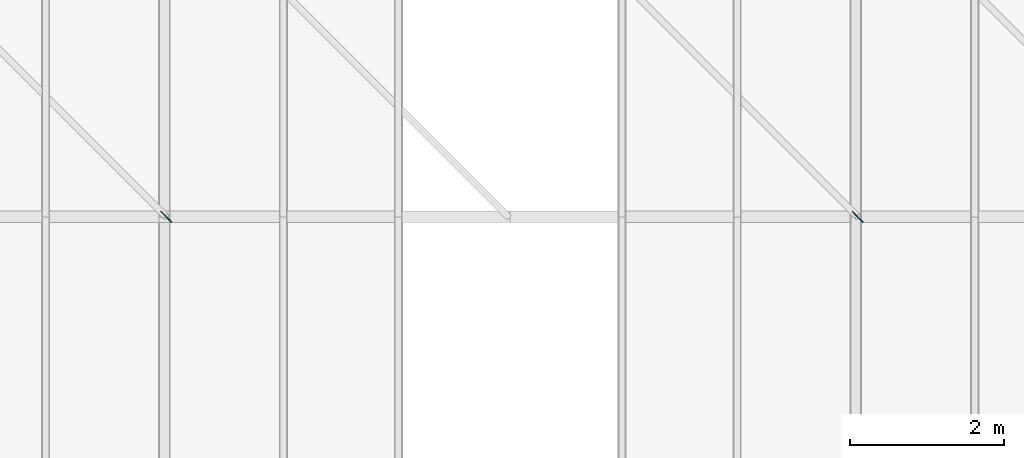
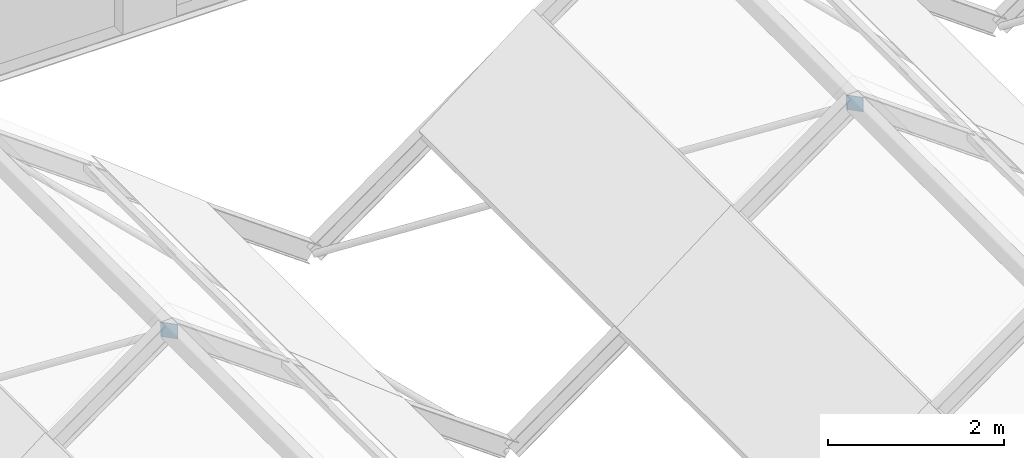
# One storey, part 55 of 74: 2 discrete accessories.
"""IFC4 building model written with IfcOpenShell, lengths in metres."""

from ifc_helpers import new_model, si_unit, direction, frame, origin, origin_2d, place, context, subcontext, project, spatial, rectangle, extrude, material, type_object, element, save


model = new_model("IFC4")

# Units and contexts
model_context = context("Model", 3, precision=1e-05, world=origin(), true_north=direction((0.0, 1.0)))
body_context = subcontext(model_context, "Body", "Model", "MODEL_VIEW")
ifc_project = project(units=[si_unit("LENGTHUNIT", "METRE"), si_unit("AREAUNIT", "SQUARE_METRE"), si_unit("VOLUMEUNIT", "CUBIC_METRE"), si_unit("PLANEANGLEUNIT", "RADIAN"), si_unit("MASSUNIT", "GRAM", prefix="KILO")], contexts=[model_context])

# Site, building, storey
site_placement = place(None, origin())
site = spatial("IfcSite", under=ifc_project, at=site_placement, CompositionType="ELEMENT")
building_placement = place(site_placement, origin())
building = spatial("IfcBuilding", under=site, at=building_placement, Name="Hortulan Conservatory and Botanical Research Centre", CompositionType="ELEMENT")
storey_placement = place(building_placement, frame((0.0, 0.0, 6.0)))
storey = spatial("IfcBuildingStorey", under=building, at=storey_placement, Name="L01", CompositionType="ELEMENT", Elevation=6.0)

# Discrete accessories
ifc_material = material(Name="Steel Grade 300 plate (AS/NZS 3678, 280 MPa minimum yield)", Category="steel")
discrete_accessory_type = type_object("IfcDiscreteAccessoryType", Name="End Plate 200x10", PredefinedType="BRACKET", material=ifc_material)
for number, where, z_axis, x_axis, name in (
    (1, (81.0234375, 27.0, 2.21240234375), (0.0, 0.0, 1.0), (0.707106781187, -0.707106781187, 0.0), "Brace end plate"),
    (2, (90.0234375, 27.0, 2.21240234375), (0.0, 0.0, 1.0), (0.707106781187, -0.707106781187, 0.0), "Brace end plate"),
):
    element("IfcDiscreteAccessory", number, at=place(storey_placement, frame(where, z_axis=z_axis, x_axis=x_axis)), inside=storey, type_object=discrete_accessory_type, Name=name, PredefinedType="BRACKET", context=body_context, shape_type="SweptSolid", body=[
        extrude(rectangle(XDim=0.199951171875, YDim=0.010009765625, at=origin_2d()), origin(), (0.0, 0.0, 1.0), 0.199951171875),
    ])

save(model, "model.ifc")
